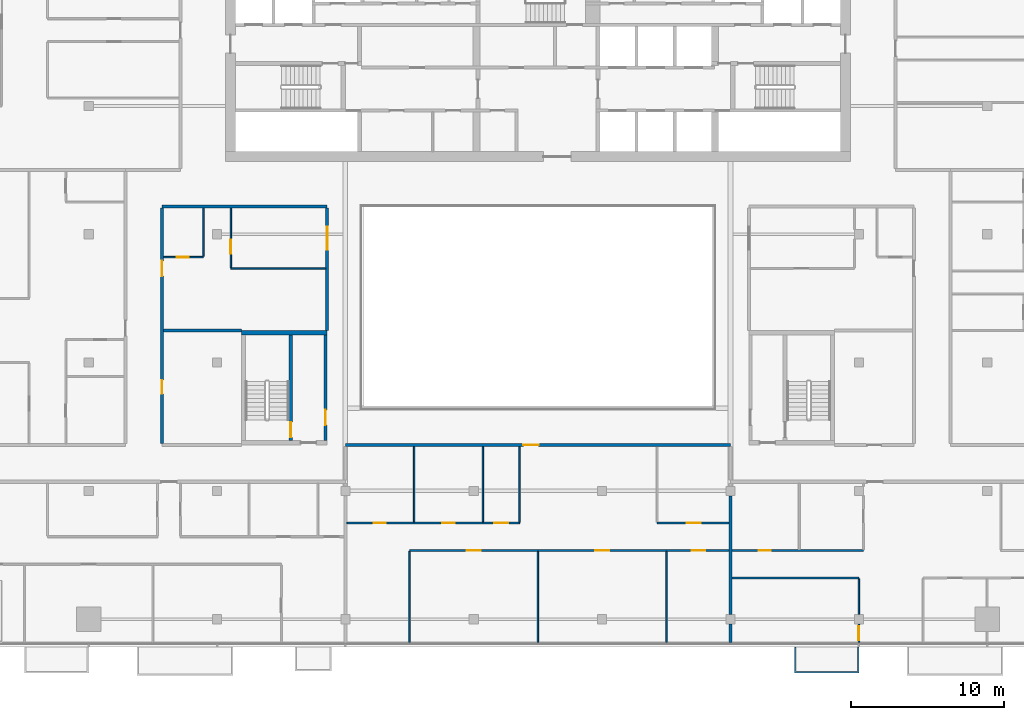
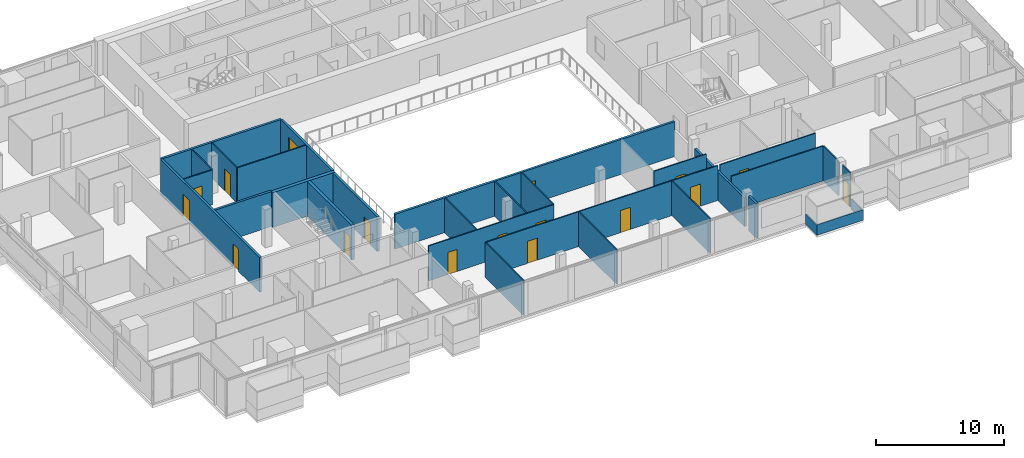
# One storey, part 19 of 29: 28 walls, 16 doors, 1 window, 17 openings.
"""IFC4 building model written with IfcOpenShell, lengths in metres."""

from ifc_helpers import new_model, si_unit, direction, frame, frame_2d, origin, place, context, subcontext, project, spatial, polyline, rectangle, outline, extrude, material, layer, layer_set, type_object, element, fill, save


model = new_model("IFC4")

# Units and contexts
model_context = context("Model", 3, precision=1e-05, world=origin(), true_north=direction((0.0, 1.0)))
body_context = subcontext(model_context, "Body", "Model", "MODEL_VIEW")
ifc_project = project(units=[si_unit("LENGTHUNIT", "METRE"), si_unit("AREAUNIT", "SQUARE_METRE"), si_unit("VOLUMEUNIT", "CUBIC_METRE"), si_unit("PLANEANGLEUNIT", "RADIAN"), si_unit("MASSUNIT", "GRAM", prefix="KILO")], contexts=[model_context])

# Site, building, storey
site_placement = place(None, origin())
site = spatial("IfcSite", under=ifc_project, at=site_placement, CompositionType="ELEMENT")
building_placement = place(site_placement, origin())
building = spatial("IfcBuilding", under=site, at=building_placement, Name="Saffron Gate Tower", CompositionType="ELEMENT")
storey_placement = place(building_placement, frame((0.0, 0.0, 219.89990234375)))
storey = spatial("IfcBuildingStorey", under=building, at=storey_placement, Name="L53", CompositionType="ELEMENT", Elevation=219.89990234375)

# Wall, opening, door
ifc_material_1 = material(Name="Gypsum board partition on steel studs", Category="steel")
ifc_layer_1 = layer(ifc_material_1, 0.199951171875)
ifc_layer_set_1 = layer_set([ifc_layer_1], Name="CW10 Core partition 200")
wall_type_1 = type_object("IfcWallType", Name="CW10 Core partition 200", PredefinedType="PARTITIONING", material=ifc_layer_set_1)
wall_1_placement = place(storey_placement, frame((73.699951171875, 43.5, 0.0), z_axis=(0.0, 0.0, 1.0), x_axis=(0.0, 1.0, 0.0)))
wall_1 = element("IfcWall", 1, at=wall_1_placement, inside=storey, type_object=wall_type_1, Name="Wall CW10-L53-D-4", PredefinedType="PARTITIONING", context=body_context, shape_type="SweptSolid", body=[
    extrude(rectangle(XDim=6.89990234375, YDim=0.199951171875, at=frame_2d((3.449951171875, 0.0))), origin(), (0.0, 0.0, 1.0), 3.320068359375),
])
opening_1_placement = place(wall_1_placement, frame((1.0, 0.0, 0.0)))
opening_1 = element("IfcOpeningElement", 2, at=opening_1_placement, cuts=wall_1, Name="Opening CR-19", PredefinedType="OPENING", context=body_context, shape_type="SweptSolid", body=[
    extrude(rectangle(XDim=1.0, YDim=2.10009765625, at=frame_2d((0.5, 1.050048828125))), frame((0.0, 0.10986328125, 0.0), z_axis=(0.0, -1.0, 0.0), x_axis=(1.0, 0.0, 0.0)), (0.0, 0.0, 1.0), 0.219970703125),
])
ifc_material_2 = material(Name="Steel fire door set", Category="steel")
door_type_1 = type_object("IfcDoorType", Name="CD4 Lobby door 1000x2100 EI 120", OperationType="NOTDEFINED", PredefinedType="DOOR", material=ifc_material_2)
door_1_placement = place(opening_1_placement, origin())
door_1 = element("IfcDoor", 3, at=door_1_placement, inside=storey, type_object=door_type_1, Name="DOOR CR-19", OperationType="SINGLE_SWING_RIGHT", OverallHeight=2.10009765625, OverallWidth=1.0, PredefinedType="DOOR", context=body_context, shape_type="SweptSolid", body=[
    extrude(rectangle(XDim=1.0, YDim=2.10009765625, at=frame_2d((0.5, 1.050048828125))), frame((0.0, 0.02490234375, 0.0), z_axis=(0.0, -1.0, 0.0), x_axis=(1.0, 0.0, 0.0)), (0.0, 0.0, 1.0), 0.050048828125),
])
fill(opening_1, door_1)

ifc_material_3 = material(Name="Concrete C60", Category="concrete")
ifc_layer_2 = layer(ifc_material_3, 0.25)
ifc_layer_set_2 = layer_set([ifc_layer_2], Name="CW14 RC core wall 250 C60")
wall_type_2 = type_object("IfcWallType", Name="CW14 RC core wall 250 C60", PredefinedType="SOLIDWALL", material=ifc_layer_set_2)
wall_2_placement = place(storey_placement, frame((71.425048828125, 43.5, 0.0), z_axis=(0.0, 0.0, 1.0), x_axis=(0.0, 1.0, 0.0)))
wall_2 = element("IfcWall", 4, at=wall_2_placement, inside=storey, type_object=wall_type_2, Name="Wall CW14-L53-D-3", PredefinedType="SOLIDWALL", context=body_context, shape_type="SweptSolid", body=[
    extrude(rectangle(XDim=6.89990234375, YDim=0.25, at=frame_2d((3.449951171875, 0.0))), origin(), (0.0, 0.0, 1.0), 3.320068359375),
])
opening_2_placement = place(wall_2_placement, frame((0.199951171875, 0.0, 0.0)))
opening_2 = element("IfcOpeningElement", 5, at=opening_2_placement, cuts=wall_2, Name="Opening CR-20", PredefinedType="OPENING", context=body_context, shape_type="SweptSolid", body=[
    extrude(rectangle(XDim=1.0, YDim=2.10009765625, at=frame_2d((0.5, 1.050048828125))), frame((0.0, 0.135009765625, 0.0), z_axis=(0.0, -1.0, 0.0), x_axis=(1.0, 0.0, 0.0)), (0.0, 0.0, 1.0), 0.27001953125),
])
door_type_2 = type_object("IfcDoorType", Name="CD5 Stair door 1000x2100 EI 120", OperationType="NOTDEFINED", PredefinedType="DOOR", material=ifc_material_2)
door_2_placement = place(opening_2_placement, origin())
door_2 = element("IfcDoor", 6, at=door_2_placement, inside=storey, type_object=door_type_2, Name="DOOR CR-20", OperationType="SINGLE_SWING_LEFT", OverallHeight=2.10009765625, OverallWidth=1.0, PredefinedType="DOOR", context=body_context, shape_type="SweptSolid", body=[
    extrude(rectangle(XDim=1.0, YDim=2.10009765625, at=frame_2d((0.5, 1.050048828125))), frame((0.0, 0.02490234375, 0.0), z_axis=(0.0, -1.0, 0.0), x_axis=(1.0, 0.0, 0.0)), (0.0, 0.0, 1.0), 0.050048828125),
])
fill(opening_2, door_2)

# Walls
ifc_layer_3 = layer(ifc_material_3, 0.300048828125)
ifc_layer_set_3 = layer_set([ifc_layer_3], Name="CW17 RC core wall 300 C60")
wall_type_3 = type_object("IfcWallType", Name="CW17 RC core wall 300 C60", PredefinedType="SOLIDWALL", material=ifc_layer_set_3)
wall_3_placement = place(storey_placement, frame((68.199951171875, 50.550048828125, 0.0), z_axis=(0.0, 0.0, 1.0), x_axis=(1.0, 0.0, 0.0)))
element("IfcWall", 7, at=wall_3_placement, inside=storey, type_object=wall_type_3, Name="Wall CW17-L53-D-5", PredefinedType="SOLIDWALL", context=body_context, shape_type="SweptSolid", body=[
    extrude(rectangle(XDim=5.60009765625, YDim=0.300048828125, at=frame_2d((2.800048828125, 0.0))), origin(), (0.0, 0.0, 1.0), 3.320068359375),
])
ifc_material_4 = material(Name="Plasterboard on steel studs", Category="steel")
ifc_layer_4 = layer(ifc_material_4, 0.10009765625)
ifc_layer_set_4 = layer_set([ifc_layer_4], Name="PW1 Partition 100")
wall_type_4 = type_object("IfcWallType", Name="PW1 Partition 100", PredefinedType="PARTITIONING", material=ifc_layer_set_4)
wall_4_placement = place(storey_placement, frame((100.300048828125, 34.5, 0.0), z_axis=(0.0, 0.0, 1.0), x_axis=(1.0, 0.0, 0.0)))
element("IfcWall", 8, at=wall_4_placement, inside=storey, type_object=wall_type_4, Name="Partition D2-1", PredefinedType="PARTITIONING", context=body_context, shape_type="SweptSolid", body=[
    extrude(rectangle(XDim=8.300048828125, YDim=0.10009765625, at=frame_2d((4.14990234375, 0.0))), origin(), (0.0, 0.0, 1.0), 3.320068359375),
])

# Wall, openings, doors
wall_5_placement = place(storey_placement, frame((75.10009765625, 38.10009765625, 0.0), z_axis=(0.0, 0.0, 1.0), x_axis=(1.0, 0.0, 0.0)))
wall_5 = element("IfcWall", 9, at=wall_5_placement, inside=storey, type_object=wall_type_4, Name="Partition D2-7", PredefinedType="PARTITIONING", context=body_context, shape_type="SweptSolid", body=[
    extrude(rectangle(XDim=11.2998046875, YDim=0.10009765625, at=frame_2d((5.64990234375, 0.0))), origin(), (0.0, 0.0, 1.0), 3.320068359375),
])
opening_3_placement = place(wall_5_placement, frame((1.75, 0.0, 0.0)))
opening_3 = element("IfcOpeningElement", 10, at=opening_3_placement, cuts=wall_5, Name="Opening D2-41", PredefinedType="OPENING", context=body_context, shape_type="SweptSolid", body=[
    extrude(rectangle(XDim=0.800048828125, YDim=2.10009765625, at=frame_2d((0.39990234375, 1.050048828125))), frame((0.0, 0.06005859375, 0.0), z_axis=(0.0, -1.0, 0.0), x_axis=(1.0, 0.0, 0.0)), (0.0, 0.0, 1.0), 0.1201171875),
])
opening_4_placement = place(wall_5_placement, frame((6.25, 0.0, 0.0)))
opening_4 = element("IfcOpeningElement", 11, at=opening_4_placement, cuts=wall_5, Name="Opening D2-42", PredefinedType="OPENING", context=body_context, shape_type="SweptSolid", body=[
    extrude(rectangle(XDim=0.800048828125, YDim=2.10009765625, at=frame_2d((0.39990234375, 1.050048828125))), frame((0.0, 0.06005859375, 0.0), z_axis=(0.0, -1.0, 0.0), x_axis=(1.0, 0.0, 0.0)), (0.0, 0.0, 1.0), 0.1201171875),
])
opening_5_placement = place(wall_5_placement, frame((9.64990234375, 0.0, 0.0)))
opening_5 = element("IfcOpeningElement", 12, at=opening_5_placement, cuts=wall_5, Name="Opening D2-19", PredefinedType="OPENING", context=body_context, shape_type="SweptSolid", body=[
    extrude(rectangle(XDim=0.89990234375, YDim=2.10009765625, at=frame_2d((0.449951171875, 1.050048828125))), frame((0.0, 0.06005859375, 0.0), z_axis=(0.0, -1.0, 0.0), x_axis=(1.0, 0.0, 0.0)), (0.0, 0.0, 1.0), 0.1201171875),
])
ifc_material_5 = material(Name="Timber door set", Category="wood")
door_type_3 = type_object("IfcDoorType", Name="RD1 Room door 900x2100", OperationType="NOTDEFINED", PredefinedType="DOOR", material=ifc_material_5)
door_3_placement = place(opening_5_placement, origin())
door_3 = element("IfcDoor", 13, at=door_3_placement, inside=storey, type_object=door_type_3, Name="Door D2-19", OperationType="SINGLE_SWING_RIGHT", OverallHeight=2.10009765625, OverallWidth=0.89990234375, PredefinedType="DOOR", context=body_context, shape_type="SweptSolid", body=[
    extrude(rectangle(XDim=0.89990234375, YDim=2.10009765625, at=frame_2d((0.449951171875, 1.050048828125))), frame((0.0, 0.02490234375, 0.0), z_axis=(0.0, -1.0, 0.0), x_axis=(1.0, 0.0, 0.0)), (0.0, 0.0, 1.0), 0.050048828125),
])
fill(opening_5, door_3)
door_type_4 = type_object("IfcDoorType", Name="RD2 Bathroom door 800x2100", OperationType="NOTDEFINED", PredefinedType="DOOR", material=ifc_material_5)
door_4_placement = place(opening_3_placement, origin())
door_4 = element("IfcDoor", 14, at=door_4_placement, inside=storey, type_object=door_type_4, Name="Door D2-41", OperationType="SINGLE_SWING_LEFT", OverallHeight=2.10009765625, OverallWidth=0.800048828125, PredefinedType="DOOR", context=body_context, shape_type="SweptSolid", body=[
    extrude(rectangle(XDim=0.800048828125, YDim=2.10009765625, at=frame_2d((0.39990234375, 1.050048828125))), frame((0.0, 0.02490234375, 0.0), z_axis=(0.0, -1.0, 0.0), x_axis=(1.0, 0.0, 0.0)), (0.0, 0.0, 1.0), 0.050048828125),
])
fill(opening_3, door_4)
door_5_placement = place(opening_4_placement, origin())
door_5 = element("IfcDoor", 15, at=door_5_placement, inside=storey, type_object=door_type_4, Name="Door D2-42", OperationType="SINGLE_SWING_LEFT", OverallHeight=2.10009765625, OverallWidth=0.800048828125, PredefinedType="DOOR", context=body_context, shape_type="SweptSolid", body=[
    extrude(rectangle(XDim=0.800048828125, YDim=2.10009765625, at=frame_2d((0.39990234375, 1.050048828125))), frame((0.0, 0.02490234375, 0.0), z_axis=(0.0, -1.0, 0.0), x_axis=(1.0, 0.0, 0.0)), (0.0, 0.0, 1.0), 0.050048828125),
])
fill(opening_4, door_5)

# Wall, opening, door
wall_6_placement = place(storey_placement, frame((95.39990234375, 38.10009765625, 0.0), z_axis=(0.0, 0.0, 1.0), x_axis=(1.0, 0.0, 0.0)))
wall_6 = element("IfcWall", 16, at=wall_6_placement, inside=storey, type_object=wall_type_4, Name="Partition D2-8", PredefinedType="PARTITIONING", context=body_context, shape_type="SweptSolid", body=[
    extrude(rectangle(XDim=4.7001953125, YDim=0.10009765625, at=frame_2d((2.35009765625, 0.0))), origin(), (0.0, 0.0, 1.0), 3.320068359375),
])
opening_6_placement = place(wall_6_placement, frame((1.949951171875, 0.0, 0.0)))
opening_6 = element("IfcOpeningElement", 17, at=opening_6_placement, cuts=wall_6, Name="Opening D2-18", PredefinedType="OPENING", context=body_context, shape_type="SweptSolid", body=[
    extrude(rectangle(XDim=0.89990234375, YDim=2.10009765625, at=frame_2d((0.449951171875, 1.050048828125))), frame((0.0, 0.06005859375, 0.0), z_axis=(0.0, -1.0, 0.0), x_axis=(1.0, 0.0, 0.0)), (0.0, 0.0, 1.0), 0.1201171875),
])
door_6_placement = place(opening_6_placement, origin())
door_6 = element("IfcDoor", 18, at=door_6_placement, inside=storey, type_object=door_type_3, Name="Door D2-18", OperationType="SINGLE_SWING_RIGHT", OverallHeight=2.10009765625, OverallWidth=0.89990234375, PredefinedType="DOOR", context=body_context, shape_type="SweptSolid", body=[
    extrude(rectangle(XDim=0.89990234375, YDim=2.10009765625, at=frame_2d((0.449951171875, 1.050048828125))), frame((0.0, 0.02490234375, 0.0), z_axis=(0.0, -1.0, 0.0), x_axis=(1.0, 0.0, 0.0)), (0.0, 0.0, 1.0), 0.050048828125),
])
fill(opening_6, door_6)

# Wall
wall_7_placement = place(storey_placement, frame((67.5, 54.75, 0.0), z_axis=(0.0, 0.0, 1.0), x_axis=(1.0, 0.0, 0.0)))
element("IfcWall", 19, at=wall_7_placement, inside=storey, type_object=wall_type_4, Name="Partition D2-30", PredefinedType="PARTITIONING", context=body_context, shape_type="SweptSolid", body=[
    extrude(rectangle(XDim=6.199951171875, YDim=0.10009765625, at=frame_2d((3.10009765625, 0.0))), origin(), (0.0, 0.0, 1.0), 3.320068359375),
])

# Wall, opening, door
wall_8_placement = place(storey_placement, frame((63.10009765625, 55.5, 0.0), z_axis=(0.0, 0.0, 1.0), x_axis=(1.0, 0.0, 0.0)))
wall_8 = element("IfcWall", 20, at=wall_8_placement, inside=storey, type_object=wall_type_4, Name="Partition D2-32", PredefinedType="PARTITIONING", context=body_context, shape_type="SweptSolid", body=[
    extrude(rectangle(XDim=2.599853515625, YDim=0.10009765625, at=frame_2d((1.2998046875, 0.0))), origin(), (0.0, 0.0, 1.0), 3.320068359375),
])
opening_7_placement = place(wall_8_placement, frame((0.85009765625, 0.0, 0.0)))
opening_7 = element("IfcOpeningElement", 21, at=opening_7_placement, cuts=wall_8, Name="Opening D2-52", PredefinedType="OPENING", context=body_context, shape_type="SweptSolid", body=[
    extrude(rectangle(XDim=0.800048828125, YDim=2.10009765625, at=frame_2d((0.39990234375, 1.050048828125))), frame((0.0, 0.06005859375, 0.0), z_axis=(0.0, -1.0, 0.0), x_axis=(1.0, 0.0, 0.0)), (0.0, 0.0, 1.0), 0.1201171875),
])
door_7_placement = place(opening_7_placement, origin())
door_7 = element("IfcDoor", 22, at=door_7_placement, inside=storey, type_object=door_type_4, Name="Door D2-52", OperationType="SINGLE_SWING_LEFT", OverallHeight=2.10009765625, OverallWidth=0.800048828125, PredefinedType="DOOR", context=body_context, shape_type="SweptSolid", body=[
    extrude(rectangle(XDim=0.800048828125, YDim=2.10009765625, at=frame_2d((0.39990234375, 1.050048828125))), frame((0.0, 0.02490234375, 0.0), z_axis=(0.0, -1.0, 0.0), x_axis=(1.0, 0.0, 0.0)), (0.0, 0.0, 1.0), 0.050048828125),
])
fill(opening_7, door_7)

# Wall
wall_9_placement = place(storey_placement, frame((65.699951171875, 58.699951171875, 0.0), z_axis=(0.0, 0.0, 1.0), x_axis=(0.0, -1.0, 0.0)))
element("IfcWall", 23, at=wall_9_placement, inside=storey, type_object=wall_type_4, Name="Partition D2-73", PredefinedType="PARTITIONING", context=body_context, shape_type="SweptSolid", body=[
    extrude(rectangle(XDim=3.14990234375, YDim=0.10009765625, at=frame_2d((1.574951171875, 0.0))), origin(), (0.0, 0.0, 1.0), 3.320068359375),
])

# Wall, opening, door
wall_10_placement = place(storey_placement, frame((67.5, 58.699951171875, 0.0), z_axis=(0.0, 0.0, 1.0), x_axis=(0.0, -1.0, 0.0)))
wall_10 = element("IfcWall", 24, at=wall_10_placement, inside=storey, type_object=wall_type_4, Name="Partition D2-74", PredefinedType="PARTITIONING", context=body_context, shape_type="SweptSolid", body=[
    extrude(rectangle(XDim=3.89990234375, YDim=0.10009765625, at=frame_2d((1.949951171875, 0.0))), origin(), (0.0, 0.0, 1.0), 3.320068359375),
])
opening_8_placement = place(wall_10_placement, frame((2.074951171875, 0.0, 0.0)))
opening_8 = element("IfcOpeningElement", 25, at=opening_8_placement, cuts=wall_10, Name="Opening D2-37", PredefinedType="OPENING", context=body_context, shape_type="SweptSolid", body=[
    extrude(rectangle(XDim=0.89990234375, YDim=2.10009765625, at=frame_2d((0.449951171875, 1.050048828125))), frame((0.0, 0.06005859375, 0.0), z_axis=(0.0, -1.0, 0.0), x_axis=(1.0, 0.0, 0.0)), (0.0, 0.0, 1.0), 0.1201171875),
])
door_8_placement = place(opening_8_placement, origin())
door_8 = element("IfcDoor", 26, at=door_8_placement, inside=storey, type_object=door_type_3, Name="Door D2-37", OperationType="SINGLE_SWING_RIGHT", OverallHeight=2.10009765625, OverallWidth=0.89990234375, PredefinedType="DOOR", context=body_context, shape_type="SweptSolid", body=[
    extrude(rectangle(XDim=0.89990234375, YDim=2.10009765625, at=frame_2d((0.449951171875, 1.050048828125))), frame((0.0, 0.02490234375, 0.0), z_axis=(0.0, -1.0, 0.0), x_axis=(1.0, 0.0, 0.0)), (0.0, 0.0, 1.0), 0.050048828125),
])
fill(opening_8, door_8)

# Walls
wall_11_placement = place(storey_placement, frame((79.199951171875, 36.25, 0.0), z_axis=(0.0, 0.0, 1.0), x_axis=(0.0, -1.0, 0.0)))
element("IfcWall", 27, at=wall_11_placement, inside=storey, type_object=wall_type_4, Name="Partition D2-83", PredefinedType="PARTITIONING", context=body_context, shape_type="SweptSolid", body=[
    extrude(rectangle(XDim=5.969970703125, YDim=0.10009765625, at=frame_2d((2.98486328125, 0.0))), origin(), (0.0, 0.0, 1.0), 3.320068359375),
])
for number, where, z_axis, x_axis, name in (
    (28, (79.5, 43.10009765625, 0.0), (0.0, 0.0, 1.0), (0.0, -1.0, 0.0), "Partition D2-84"),
    (29, (84.0, 43.10009765625, 0.0), (0.0, 0.0, 1.0), (0.0, -1.0, 0.0), "Partition D2-85"),
    (30, (86.39990234375, 43.10009765625, 0.0), (0.0, 0.0, 1.0), (0.0, -1.0, 0.0), "Partition D2-86"),
):
    element("IfcWall", number, at=place(storey_placement, frame(where, z_axis=z_axis, x_axis=x_axis)), inside=storey, type_object=wall_type_4, Name=name, PredefinedType="PARTITIONING", context=body_context, shape_type="SweptSolid", body=[
        extrude(rectangle(XDim=4.9501953125, YDim=0.10009765625, at=frame_2d((2.47509765625, 0.0))), origin(), (0.0, 0.0, 1.0), 3.320068359375),
    ])
for number, where, z_axis, x_axis, name in (
    (31, (87.60009765625, 36.25, 0.0), (0.0, 0.0, 1.0), (0.0, -1.0, 0.0), "Partition D2-87"),
    (32, (96.0, 36.25, 0.0), (0.0, 0.0, 1.0), (0.0, -1.0, 0.0), "Partition D2-89"),
):
    element("IfcWall", number, at=place(storey_placement, frame(where, z_axis=z_axis, x_axis=x_axis)), inside=storey, type_object=wall_type_4, Name=name, PredefinedType="PARTITIONING", context=body_context, shape_type="SweptSolid", body=[
        extrude(rectangle(XDim=5.969970703125, YDim=0.10009765625, at=frame_2d((2.98486328125, 0.0))), origin(), (0.0, 0.0, 1.0), 3.320068359375),
    ])

# Wall, opening, door
wall_12_placement = place(storey_placement, frame((108.60009765625, 30.280029296875, 0.0), z_axis=(0.0, 0.0, 1.0), x_axis=(0.0, 1.0, 0.0)))
wall_12 = element("IfcWall", 33, at=wall_12_placement, inside=storey, type_object=wall_type_4, Name="Partition D2-98", PredefinedType="PARTITIONING", context=body_context, shape_type="SweptSolid", body=[
    extrude(rectangle(XDim=1.199951171875, YDim=0.10009765625, at=frame_2d((0.60009765625, 0.0))), origin(), (0.0, 0.0, 1.0), 3.320068359375),
])
opening_9_placement = place(wall_12_placement, frame((0.14990234375, 0.0, 0.0)))
opening_9 = element("IfcOpeningElement", 34, at=opening_9_placement, cuts=wall_12, Name="Opening D2-20", PredefinedType="OPENING", context=body_context, shape_type="SweptSolid", body=[
    extrude(rectangle(XDim=0.89990234375, YDim=2.10009765625, at=frame_2d((0.449951171875, 1.050048828125))), frame((0.0, 0.06005859375, 0.0), z_axis=(0.0, -1.0, 0.0), x_axis=(1.0, 0.0, 0.0)), (0.0, 0.0, 1.0), 0.1201171875),
])
door_9_placement = place(opening_9_placement, origin())
door_9 = element("IfcDoor", 35, at=door_9_placement, inside=storey, type_object=door_type_3, Name="Door D2-20", OperationType="SINGLE_SWING_LEFT", OverallHeight=2.10009765625, OverallWidth=0.89990234375, PredefinedType="DOOR", context=body_context, shape_type="SweptSolid", body=[
    extrude(rectangle(XDim=0.89990234375, YDim=2.10009765625, at=frame_2d((0.449951171875, 1.050048828125))), frame((0.0, 0.02490234375, 0.0), z_axis=(0.0, -1.0, 0.0), x_axis=(1.0, 0.0, 0.0)), (0.0, 0.0, 1.0), 0.050048828125),
])
fill(opening_9, door_9)

# Wall
wall_13_placement = place(storey_placement, frame((108.60009765625, 34.449951171875, 0.0), z_axis=(0.0, 0.0, 1.0), x_axis=(0.0, -1.0, 0.0)))
element("IfcWall", 36, at=wall_13_placement, inside=storey, type_object=wall_type_4, Name="Partition D2-99", PredefinedType="PARTITIONING", context=body_context, shape_type="SweptSolid", body=[
    extrude(rectangle(XDim=2.329833984375, YDim=0.10009765625, at=frame_2d((1.1650390625, 0.0))), origin(), (0.0, 0.0, 1.0), 3.320068359375),
])

# Wall, openings, doors
wall_14_placement = place(storey_placement, frame((100.10009765625, 36.300048828125, 0.0), z_axis=(0.0, 0.0, 1.0), x_axis=(-1.0, 0.0, 0.0)))
wall_14 = element("IfcWall", 37, at=wall_14_placement, inside=storey, type_object=wall_type_4, Name="Partition D2-117", PredefinedType="PARTITIONING", context=body_context, shape_type="SweptSolid", body=[
    extrude(rectangle(XDim=20.900146484375, YDim=0.10009765625, at=frame_2d((10.4501953125, 0.0))), origin(), (0.0, 0.0, 1.0), 3.320068359375),
])
opening_10_placement = place(wall_14_placement, frame((1.550048828125, 0.0, 0.0)))
opening_10 = element("IfcOpeningElement", 38, at=opening_10_placement, cuts=wall_14, Name="Opening D2-17", PredefinedType="OPENING", context=body_context, shape_type="SweptSolid", body=[
    extrude(rectangle(XDim=0.89990234375, YDim=2.10009765625, at=frame_2d((0.449951171875, 1.050048828125))), frame((0.0, 0.06005859375, 0.0), z_axis=(0.0, -1.0, 0.0), x_axis=(1.0, 0.0, 0.0)), (0.0, 0.0, 1.0), 0.1201171875),
])
opening_11_placement = place(wall_14_placement, frame((7.85009765625, 0.0, 0.0)))
opening_11 = element("IfcOpeningElement", 39, at=opening_11_placement, cuts=wall_14, Name="Opening D2-16", PredefinedType="OPENING", context=body_context, shape_type="SweptSolid", body=[
    extrude(rectangle(XDim=0.89990234375, YDim=2.10009765625, at=frame_2d((0.449951171875, 1.050048828125))), frame((0.0, 0.06005859375, 0.0), z_axis=(0.0, -1.0, 0.0), x_axis=(1.0, 0.0, 0.0)), (0.0, 0.0, 1.0), 0.1201171875),
])
opening_12_placement = place(wall_14_placement, frame((16.25, 0.0, 0.0)))
opening_12 = element("IfcOpeningElement", 40, at=opening_12_placement, cuts=wall_14, Name="Opening D2-15", PredefinedType="OPENING", context=body_context, shape_type="SweptSolid", body=[
    extrude(rectangle(XDim=0.89990234375, YDim=2.10009765625, at=frame_2d((0.449951171875, 1.050048828125))), frame((0.0, 0.06005859375, 0.0), z_axis=(0.0, -1.0, 0.0), x_axis=(1.0, 0.0, 0.0)), (0.0, 0.0, 1.0), 0.1201171875),
])
door_10_placement = place(opening_10_placement, origin())
door_10 = element("IfcDoor", 41, at=door_10_placement, inside=storey, type_object=door_type_3, Name="Door D2-17", OperationType="SINGLE_SWING_LEFT", OverallHeight=2.10009765625, OverallWidth=0.89990234375, PredefinedType="DOOR", context=body_context, shape_type="SweptSolid", body=[
    extrude(rectangle(XDim=0.89990234375, YDim=2.10009765625, at=frame_2d((0.449951171875, 1.050048828125))), frame((0.0, 0.02490234375, 0.0), z_axis=(0.0, -1.0, 0.0), x_axis=(1.0, 0.0, 0.0)), (0.0, 0.0, 1.0), 0.050048828125),
])
fill(opening_10, door_10)
door_11_placement = place(opening_11_placement, origin())
door_11 = element("IfcDoor", 42, at=door_11_placement, inside=storey, type_object=door_type_3, Name="Door D2-16", OperationType="SINGLE_SWING_RIGHT", OverallHeight=2.10009765625, OverallWidth=0.89990234375, PredefinedType="DOOR", context=body_context, shape_type="SweptSolid", body=[
    extrude(rectangle(XDim=0.89990234375, YDim=2.10009765625, at=frame_2d((0.449951171875, 1.050048828125))), frame((0.0, 0.02490234375, 0.0), z_axis=(0.0, -1.0, 0.0), x_axis=(1.0, 0.0, 0.0)), (0.0, 0.0, 1.0), 0.050048828125),
])
fill(opening_11, door_11)
door_12_placement = place(opening_12_placement, origin())
door_12 = element("IfcDoor", 43, at=door_12_placement, inside=storey, type_object=door_type_3, Name="Door D2-15", OperationType="SINGLE_SWING_RIGHT", OverallHeight=2.10009765625, OverallWidth=0.89990234375, PredefinedType="DOOR", context=body_context, shape_type="SweptSolid", body=[
    extrude(rectangle(XDim=0.89990234375, YDim=2.10009765625, at=frame_2d((0.449951171875, 1.050048828125))), frame((0.0, 0.02490234375, 0.0), z_axis=(0.0, -1.0, 0.0), x_axis=(1.0, 0.0, 0.0)), (0.0, 0.0, 1.0), 0.050048828125),
])
fill(opening_12, door_12)

# Wall, opening, door
wall_15_placement = place(storey_placement, frame((100.300048828125, 36.300048828125, 0.0), z_axis=(0.0, 0.0, 1.0), x_axis=(1.0, 0.0, 0.0)))
wall_15 = element("IfcWall", 44, at=wall_15_placement, inside=storey, type_object=wall_type_4, Name="Partition D2-118", PredefinedType="PARTITIONING", context=body_context, shape_type="SweptSolid", body=[
    extrude(rectangle(XDim=8.599853515625, YDim=0.10009765625, at=frame_2d((4.2998046875, 0.0))), origin(), (0.0, 0.0, 1.0), 3.320068359375),
])
opening_13_placement = place(wall_15_placement, frame((1.75, 0.0, 0.0)))
opening_13 = element("IfcOpeningElement", 45, at=opening_13_placement, cuts=wall_15, Name="Opening D2-43", PredefinedType="OPENING", context=body_context, shape_type="SweptSolid", body=[
    extrude(rectangle(XDim=0.800048828125, YDim=2.10009765625, at=frame_2d((0.39990234375, 1.050048828125))), frame((0.0, 0.06005859375, 0.0), z_axis=(0.0, -1.0, 0.0), x_axis=(1.0, 0.0, 0.0)), (0.0, 0.0, 1.0), 0.1201171875),
])
door_13_placement = place(opening_13_placement, origin())
door_13 = element("IfcDoor", 46, at=door_13_placement, inside=storey, type_object=door_type_4, Name="Door D2-43", OperationType="SINGLE_SWING_LEFT", OverallHeight=2.10009765625, OverallWidth=0.800048828125, PredefinedType="DOOR", context=body_context, shape_type="SweptSolid", body=[
    extrude(rectangle(XDim=0.800048828125, YDim=2.10009765625, at=frame_2d((0.39990234375, 1.050048828125))), frame((0.0, 0.02490234375, 0.0), z_axis=(0.0, -1.0, 0.0), x_axis=(1.0, 0.0, 0.0)), (0.0, 0.0, 1.0), 0.050048828125),
])
fill(opening_13, door_13)

# Walls
ifc_material_6 = material(Name="Clay brick masonry, rendered", Category="masonry")
ifc_layer_5 = layer(ifc_material_6, 0.199951171875)
ifc_layer_set_5 = layer_set([ifc_layer_5], Name="PW2 Demising wall 200")
wall_type_5 = type_object("IfcWallType", Name="PW2 Demising wall 200", PredefinedType="PARTITIONING", material=ifc_layer_set_5)
wall_16_placement = place(storey_placement, frame((63.10009765625, 50.699951171875, 0.0), z_axis=(0.0, 0.0, 1.0), x_axis=(1.0, 0.0, 0.0)))
element("IfcWall", 47, at=wall_16_placement, inside=storey, type_object=wall_type_5, Name="Wall D2-24", PredefinedType="PARTITIONING", context=body_context, shape_type="SweptSolid", body=[
    extrude(rectangle(XDim=5.099853515625, YDim=0.199951171875, at=frame_2d((2.5498046875, 0.0))), origin(), (0.0, 0.0, 1.0), 3.320068359375),
])
wall_17_placement = place(storey_placement, frame((100.199951171875, 31.47998046875, 0.0), z_axis=(0.0, 0.0, 1.0), x_axis=(0.0, -1.0, 0.0)))
element("IfcWall", 48, at=wall_17_placement, inside=storey, type_object=wall_type_5, Name="Wall D2-91", PredefinedType="PARTITIONING", context=body_context, shape_type="SweptSolid", body=[
    extrude(rectangle(XDim=1.199951171875, YDim=0.199951171875, at=frame_2d((0.60009765625, 0.0))), origin(), (0.0, 0.0, 1.0), 3.320068359375),
])
wall_18_placement = place(storey_placement, frame((100.199951171875, 39.8798828125, 0.0), z_axis=(0.0, 0.0, 1.0), x_axis=(0.0, -1.0, 0.0)))
element("IfcWall", 49, at=wall_18_placement, inside=storey, type_object=wall_type_5, Name="Wall D2-92", PredefinedType="PARTITIONING", context=body_context, shape_type="SweptSolid", body=[
    extrude(rectangle(XDim=7.759765625, YDim=0.199951171875, at=frame_2d((3.8798828125, 0.0))), origin(), (0.0, 0.0, 1.0), 2.72021484375),
])

# Wall, opening, door
ifc_layer_6 = layer(ifc_material_6, 0.199951171875)
ifc_layer_set_6 = layer_set([ifc_layer_6], Name="PW3 Corridor wall 200")
wall_type_6 = type_object("IfcWallType", Name="PW3 Corridor wall 200", PredefinedType="PARTITIONING", material=ifc_layer_set_6)
wall_19_placement = place(storey_placement, frame((100.199951171875, 43.199951171875, 0.0), z_axis=(0.0, 0.0, 1.0), x_axis=(-1.0, 0.0, 0.0)))
wall_19 = element("IfcWall", 50, at=wall_19_placement, inside=storey, type_object=wall_type_6, Name="Wall D2-15", PredefinedType="PARTITIONING", context=body_context, shape_type="SweptSolid", body=[
    extrude(rectangle(XDim=25.199951171875, YDim=0.199951171875, at=frame_2d((12.60009765625, 0.0))), origin(), (0.0, 0.0, 1.0), 3.320068359375),
])
opening_14_placement = place(wall_19_placement, frame((12.550048828125, 0.0, 0.0)))
opening_14 = element("IfcOpeningElement", 51, at=opening_14_placement, cuts=wall_19, Name="Opening D2-2", PredefinedType="OPENING", context=body_context, shape_type="SweptSolid", body=[
    extrude(rectangle(XDim=1.0, YDim=2.10009765625, at=frame_2d((0.5, 1.050048828125))), frame((0.0, 0.10986328125, 0.0), z_axis=(0.0, -1.0, 0.0), x_axis=(1.0, 0.0, 0.0)), (0.0, 0.0, 1.0), 0.219970703125),
])
ifc_material_7 = material(Name="Timber fire door set", Category="wood")
door_type_5 = type_object("IfcDoorType", Name="FD1 Flat entry door 1000x2100", OperationType="NOTDEFINED", PredefinedType="DOOR", material=ifc_material_7)
door_14_placement = place(opening_14_placement, origin())
door_14 = element("IfcDoor", 52, at=door_14_placement, inside=storey, type_object=door_type_5, Name="Door D2-2", OperationType="SINGLE_SWING_RIGHT", OverallHeight=2.10009765625, OverallWidth=1.0, PredefinedType="DOOR", context=body_context, shape_type="SweptSolid", body=[
    extrude(rectangle(XDim=1.0, YDim=2.10009765625, at=frame_2d((0.5, 1.050048828125))), frame((0.0, 0.02490234375, 0.0), z_axis=(0.0, -1.0, 0.0), x_axis=(1.0, 0.0, 0.0)), (0.0, 0.0, 1.0), 0.050048828125),
])
fill(opening_14, door_14)

# Wall
wall_20_placement = place(storey_placement, frame((63.0, 58.800048828125, 0.0), z_axis=(0.0, 0.0, 1.0), x_axis=(1.0, 0.0, 0.0)))
element("IfcWall", 53, at=wall_20_placement, inside=storey, type_object=wall_type_6, Name="Wall D2-36", PredefinedType="PARTITIONING", context=body_context, shape_type="SweptSolid", body=[
    extrude(rectangle(XDim=10.800048828125, YDim=0.199951171875, at=frame_2d((5.39990234375, 0.0))), origin(), (0.0, 0.0, 1.0), 3.320068359375),
])

# Wall, openings, doors
wall_21_placement = place(storey_placement, frame((63.0, 58.699951171875, 0.0), z_axis=(0.0, 0.0, 1.0), x_axis=(0.0, -1.0, 0.0)))
wall_21 = element("IfcWall", 54, at=wall_21_placement, inside=storey, type_object=wall_type_6, Name="Wall D2-70", PredefinedType="PARTITIONING", context=body_context, shape_type="SweptSolid", body=[
    extrude(rectangle(XDim=15.39990234375, YDim=0.199951171875, at=frame_2d((7.699951171875, 0.0))), origin(), (0.0, 0.0, 1.0), 3.320068359375),
])
opening_15_placement = place(wall_21_placement, frame((3.449951171875, 0.0, 0.0)))
opening_15 = element("IfcOpeningElement", 55, at=opening_15_placement, cuts=wall_21, Name="Opening D2-8", PredefinedType="OPENING", context=body_context, shape_type="SweptSolid", body=[
    extrude(rectangle(XDim=1.0, YDim=2.10009765625, at=frame_2d((0.5, 1.050048828125))), frame((0.0, 0.10986328125, 0.0), z_axis=(0.0, -1.0, 0.0), x_axis=(1.0, 0.0, 0.0)), (0.0, 0.0, 1.0), 0.219970703125),
])
opening_16_placement = place(wall_21_placement, frame((11.25, 0.0, 0.0)))
opening_16 = element("IfcOpeningElement", 56, at=opening_16_placement, cuts=wall_21, Name="Opening D2-55", PredefinedType="OPENING", context=body_context, shape_type="SweptSolid", body=[
    extrude(rectangle(XDim=0.89990234375, YDim=2.10009765625, at=frame_2d((0.449951171875, 1.050048828125))), frame((0.0, 0.10986328125, 0.0), z_axis=(0.0, -1.0, 0.0), x_axis=(1.0, 0.0, 0.0)), (0.0, 0.0, 1.0), 0.219970703125),
])
door_15_placement = place(opening_15_placement, origin())
door_15 = element("IfcDoor", 57, at=door_15_placement, inside=storey, type_object=door_type_5, Name="Door D2-8", OperationType="SINGLE_SWING_LEFT", OverallHeight=2.10009765625, OverallWidth=1.0, PredefinedType="DOOR", context=body_context, shape_type="SweptSolid", body=[
    extrude(rectangle(XDim=1.0, YDim=2.10009765625, at=frame_2d((0.5, 1.050048828125))), frame((0.0, 0.02490234375, 0.0), z_axis=(0.0, -1.0, 0.0), x_axis=(1.0, 0.0, 0.0)), (0.0, 0.0, 1.0), 0.050048828125),
])
fill(opening_15, door_15)
door_type_6 = type_object("IfcDoorType", Name="SD1 Service door 900x2100", OperationType="NOTDEFINED", PredefinedType="DOOR", material=ifc_material_2)
door_16_placement = place(opening_16_placement, origin())
door_16 = element("IfcDoor", 58, at=door_16_placement, inside=storey, type_object=door_type_6, Name="Door D2-55", OperationType="SINGLE_SWING_RIGHT", OverallHeight=2.10009765625, OverallWidth=0.89990234375, PredefinedType="DOOR", context=body_context, shape_type="SweptSolid", body=[
    extrude(rectangle(XDim=0.89990234375, YDim=2.10009765625, at=frame_2d((0.449951171875, 1.050048828125))), frame((0.0, 0.02490234375, 0.0), z_axis=(0.0, -1.0, 0.0), x_axis=(1.0, 0.0, 0.0)), (0.0, 0.0, 1.0), 0.050048828125),
])
fill(opening_16, door_16)

# Wall, opening, window
wall_22_placement = place(storey_placement, frame((73.800048828125, 58.699951171875, 0.0), z_axis=(0.0, 0.0, 1.0), x_axis=(0.0, -1.0, 0.0)))
wall_22 = element("IfcWall", 59, at=wall_22_placement, inside=storey, type_object=wall_type_6, Name="Wall D2-78", PredefinedType="PARTITIONING", context=body_context, shape_type="SweptSolid", body=[
    extrude(rectangle(XDim=8.0, YDim=0.199951171875, at=frame_2d((4.0, 0.0))), origin(), (0.0, 0.0, 1.0), 3.320068359375),
])
opening_17_placement = place(wall_22_placement, frame((1.22509765625, 0.0, 0.89990234375)))
opening_17 = element("IfcOpeningElement", 60, at=opening_17_placement, cuts=wall_22, Name="Opening GW1", PredefinedType="OPENING", context=body_context, shape_type="SweptSolid", body=[
    extrude(rectangle(XDim=1.5, YDim=1.5, at=frame_2d((0.75, 0.75))), frame((0.0, 0.10986328125, 0.0), z_axis=(0.0, -1.0, 0.0), x_axis=(1.0, 0.0, 0.0)), (0.0, 0.0, 1.0), 0.219970703125),
])
ifc_material_8 = material(Name="Fire-resisting laminated glass in steel frame", Category="steel")
ifc_layer_7 = layer(ifc_material_8, 0.06005859375)
ifc_layer_set_7 = layer_set([ifc_layer_7], Name="GW1 Gallery window 1500x1500")
window_type = type_object("IfcWindowType", Name="GW1 Gallery window 1500x1500", PartitioningType="SINGLE_PANEL", PredefinedType="WINDOW", material=ifc_layer_set_7)
window_placement = place(opening_17_placement, origin())
window = element("IfcWindow", 61, at=window_placement, inside=storey, type_object=window_type, Name="GW1 window D2-H-B1", OverallHeight=1.5, OverallWidth=1.5, PartitioningType="SINGLE_PANEL", PredefinedType="WINDOW", context=body_context, shape_type="SweptSolid", body=[
    extrude(rectangle(XDim=1.5, YDim=1.5, at=frame_2d((0.75, 0.75))), frame((0.0, 0.030029296875, 0.0), z_axis=(0.0, -1.0, 0.0), x_axis=(1.0, 0.0, 0.0)), (0.0, 0.0, 1.0), 0.06005859375),
])
fill(opening_17, window)

# Wall
ifc_material_9 = material(Name="Rendered insulated panel, white")
ifc_layer_8 = layer(ifc_material_9, 0.10009765625)
ifc_layer_set_8 = layer_set([ifc_layer_8], Name="WB3 box parapet white")
wall_type_7 = type_object("IfcWallType", Name="WB3 box parapet white", PredefinedType="SOLIDWALL", material=ifc_layer_set_8)
wall_23_placement = place(storey_placement, origin())
element("IfcWall", 62, at=wall_23_placement, inside=storey, type_object=wall_type_7, Name="WINDOW BOX parapet", PredefinedType="SOLIDWALL", context=body_context, shape_type="SweptSolid", body=[
    extrude(outline(polyline([(104.39990234375, 30.0), (104.5, 30.0), (104.5, 28.366943359375), (108.5, 28.366943359375), (108.5, 30.0), (108.60009765625, 30.0), (108.60009765625, 28.26708984375), (104.39990234375, 28.26708984375), (104.39990234375, 30.0)])), origin(), (0.0, 0.0, 1.0), 1.0),
])

save(model, "model.ifc")
